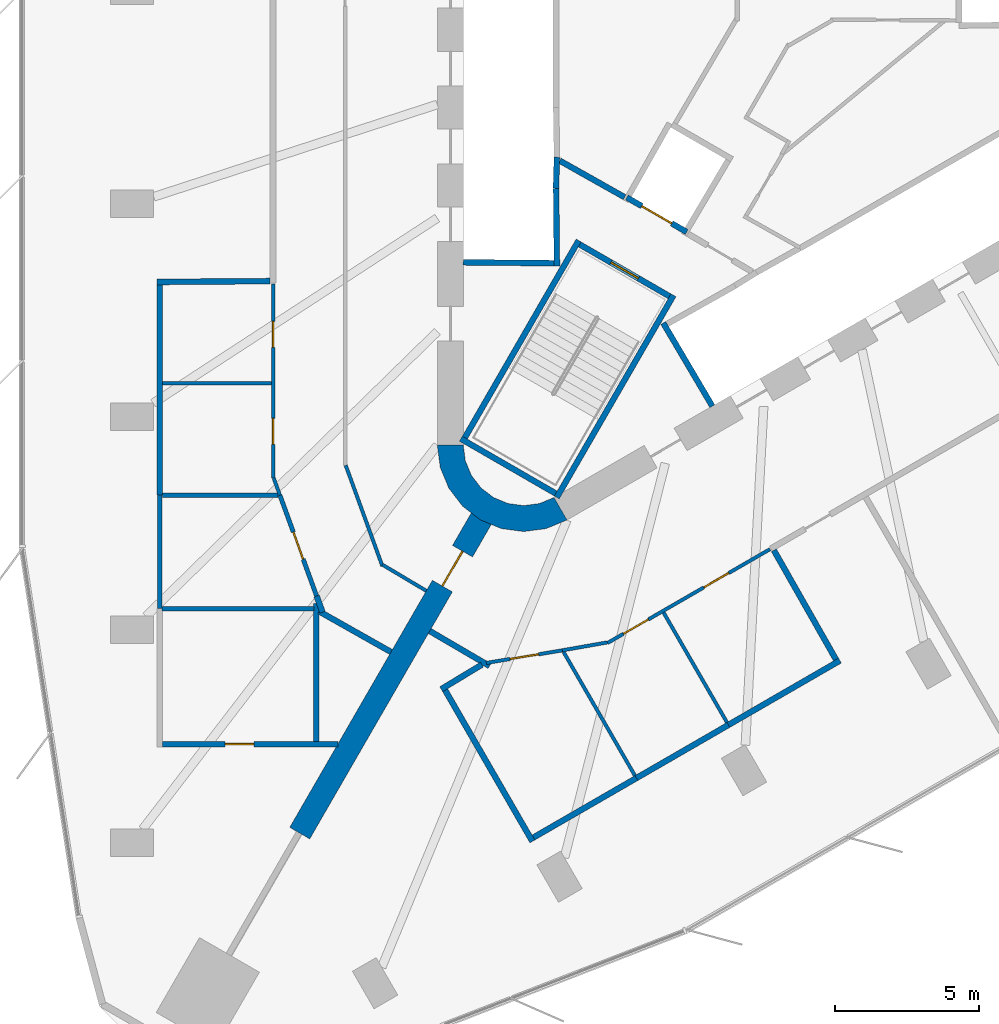
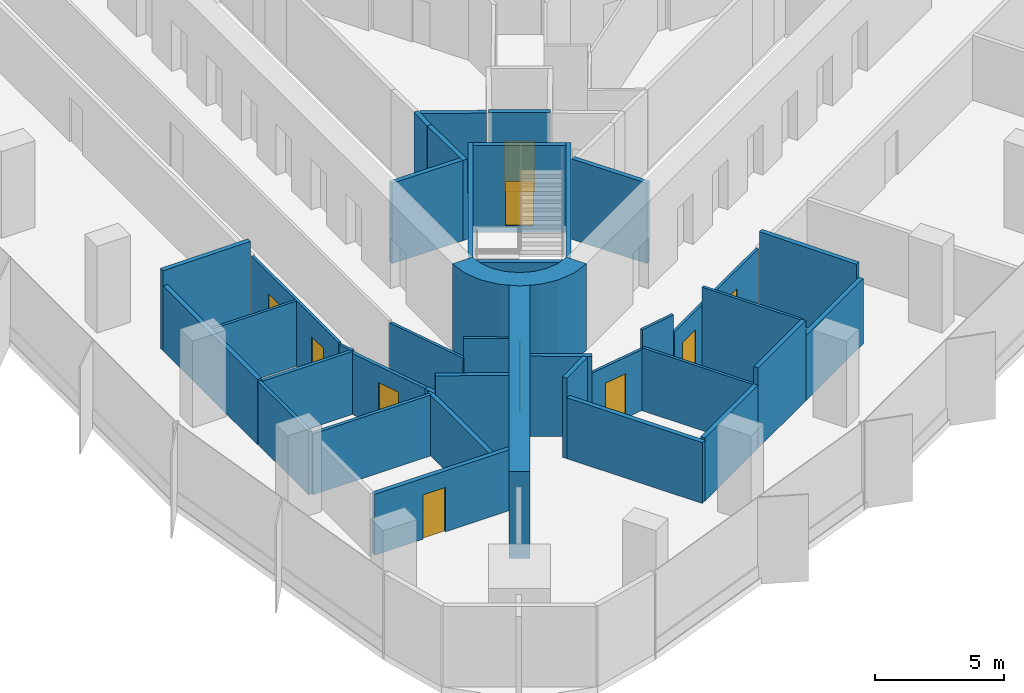
# One storey, part 9 of 15: 39 walls, 10 doors, 10 openings.
"""IFC4 building model written with IfcOpenShell, lengths in metres."""

from ifc_helpers import new_model, si_unit, direction, frame, frame_2d, origin, place, context, subcontext, project, spatial, polyline, rectangle, outline, extrude, material, layer, layer_set, type_object, element, fill, save


model = new_model("IFC4")

# Units and contexts
model_context = context("Model", 3, precision=1e-05, world=origin(), true_north=direction((0.0, 1.0)))
body_context = subcontext(model_context, "Body", "Model", "MODEL_VIEW")
ifc_project = project(units=[si_unit("LENGTHUNIT", "METRE"), si_unit("AREAUNIT", "SQUARE_METRE"), si_unit("VOLUMEUNIT", "CUBIC_METRE"), si_unit("PLANEANGLEUNIT", "RADIAN"), si_unit("MASSUNIT", "GRAM", prefix="KILO")], contexts=[model_context])

# Site, building, storey
site_placement = place(None, origin())
site = spatial("IfcSite", under=ifc_project, at=site_placement, CompositionType="ELEMENT")
building_placement = place(site_placement, origin())
building = spatial("IfcBuilding", under=site, at=building_placement, Name="Tanit Gate Tower", CompositionType="ELEMENT")
storey_placement = place(building_placement, frame((0.0, 0.0, 135.699951171875)))
storey = spatial("IfcBuildingStorey", under=building, at=storey_placement, Name="L29", CompositionType="ELEMENT", Elevation=135.699951171875)

# Wall, opening, door
ifc_material_1 = material(Name="Concrete C60/75", Category="concrete")
ifc_layer_1 = layer(ifc_material_1, 0.800048828125)
ifc_layer_set_1 = layer_set([ifc_layer_1], Name="BUTTRESS FIN 800 C60/75")
wall_type_1 = type_object("IfcWallType", Name="BUTTRESS FIN 800 C60/75", PredefinedType="SHEAR", material=ifc_layer_set_1)
wall_1_placement = place(storey_placement, frame((-10.574951171875, -18.31640625, 0.0), z_axis=(0.0, 0.0, 1.0), x_axis=(-0.500005394759, -0.866022289097, 0.0)))
wall_1 = element("IfcWall", 1, at=wall_1_placement, inside=storey, type_object=wall_type_1, Name="BUTTRESS FIN", PredefinedType="SHEAR", context=body_context, shape_type="SweptSolid", body=[
    extrude(rectangle(XDim=12.597900390625, YDim=0.800048828125, at=frame_2d((6.298828125, 0.0))), origin(), (0.0, 0.0, 1.0), 4.10009765625),
])
opening_1_placement = place(wall_1_placement, frame((1.300048828125, 0.0, 0.0)))
opening_1 = element("IfcOpeningElement", 2, at=opening_1_placement, cuts=wall_1, Name="Opening P14-S07-F-SW-1", PredefinedType="OPENING", context=body_context, shape_type="SweptSolid", body=[
    extrude(rectangle(XDim=1.39990234375, YDim=2.39990234375, at=frame_2d((0.699951171875, 1.199951171875))), frame((0.0, 0.41015625, 0.0), z_axis=(0.0, -1.0, 0.0), x_axis=(1.0, 0.0, 0.0)), (0.0, 0.0, 1.0), 0.820068359375),
])
ifc_material_2 = material(Name="Timber door leaf", Category="wood")
door_type_1 = type_object("IfcDoorType", Name="INT-DOOR-FIN-PAIR-1400", OperationType="NOTDEFINED", PredefinedType="NOTDEFINED", material=ifc_material_2)
door_1_placement = place(opening_1_placement, origin())
door_1 = element("IfcDoor", 3, at=door_1_placement, inside=storey, type_object=door_type_1, Name="Door P14-S07-F-SW-1", OperationType="DOUBLE_DOOR_SINGLE_SWING", OverallHeight=2.39990234375, OverallWidth=1.39990234375, PredefinedType="NOTDEFINED", context=body_context, shape_type="SweptSolid", body=[
    extrude(rectangle(XDim=1.39990234375, YDim=2.39990234375, at=frame_2d((0.699951171875, 1.199951171875))), frame((0.0, 0.02490234375, 0.0), z_axis=(0.0, -1.0, 0.0), x_axis=(1.0, 0.0, 0.0)), (0.0, 0.0, 1.0), 0.050048828125),
])
fill(opening_1, door_1)

# Walls
ifc_material_3 = material(Name="Concrete C60/75", Category="concrete")
ifc_layer_2 = layer(ifc_material_3, 0.89990234375)
ifc_layer_set_2 = layer_set([ifc_layer_2], Name="CORE WALL 900 C60/75")
wall_type_2 = type_object("IfcWallType", Name="CORE WALL 900 C60/75", PredefinedType="SHEAR", material=ifc_layer_set_2)
wall_2_placement = place(storey_placement, origin())
element("IfcWall", 4, at=wall_2_placement, inside=storey, type_object=wall_type_2, Name="CORE WALL CORNER", PredefinedType="SHEAR", context=body_context, shape_type="SweptSolid", body=[
    extrude(outline(polyline([(-12.10009765625, -15.76171875), (-11.997802734375, -16.5380859375), (-11.697998046875, -17.26171875), (-11.22119140625, -17.883056640625), (-10.60009765625, -18.359619140625), (-9.87646484375, -18.659423828125), (-9.10009765625, -18.76171875), (-8.323486328125, -18.659423828125), (-7.60009765625, -18.359619140625), (-8.050048828125, -17.580322265625), (-8.556396484375, -17.7900390625), (-9.10009765625, -17.86181640625), (-9.6435546875, -17.7900390625), (-10.14990234375, -17.580322265625), (-10.5849609375, -17.24658203125), (-10.918701171875, -16.811767578125), (-11.12841796875, -16.30517578125), (-11.199951171875, -15.76171875), (-12.10009765625, -15.76171875)])), origin(), (0.0, 0.0, 1.0), 4.10009765625),
])
ifc_material_4 = material(Name="Fire-rated gypsum board partition")
ifc_layer_3 = layer(ifc_material_4, 0.199951171875)
ifc_layer_set_3 = layer_set([ifc_layer_3], Name="INT-WALL-COMPARTMENT")
wall_type_3 = type_object("IfcWallType", Name="INT-WALL-COMPARTMENT", PredefinedType="PARTITIONING", material=ifc_layer_set_3)
wall_3_placement = place(storey_placement, frame((-7.84912109375, -5.893798828125, 0.0), z_axis=(0.0, 0.0, 1.0), x_axis=(0.871340486379, -0.490678873396, 0.0)))
element("IfcWall", 5, at=wall_3_placement, inside=storey, type_object=wall_type_3, Name="Wall Compartment W063", PredefinedType="PARTITIONING", context=body_context, shape_type="SweptSolid", body=[
    extrude(rectangle(XDim=2.580810546875, YDim=0.199951171875, at=frame_2d((1.29052734375, 0.0))), origin(), (0.0, 0.0, 1.0), 3.800048828125),
])
wall_4_placement = place(storey_placement, frame((-16.199951171875, -21.532470703125, 0.0), z_axis=(0.0, 0.0, 1.0), x_axis=(0.870802525435, -0.491632954241, 0.0)))
element("IfcWall", 6, at=wall_4_placement, inside=storey, type_object=wall_type_3, Name="Wall Compartment W094", PredefinedType="PARTITIONING", context=body_context, shape_type="SweptSolid", body=[
    extrude(rectangle(XDim=2.86328125, YDim=0.199951171875, at=frame_2d((1.431640625, 0.0))), origin(), (0.0, 0.0, 1.0), 3.800048828125),
])
wall_5_placement = place(storey_placement, frame((-16.28759765625, -21.00146484375, 0.0), z_axis=(0.0, 0.0, 1.0), x_axis=(0.342137351889, -0.939649952079, 0.0)))
element("IfcWall", 7, at=wall_5_placement, inside=storey, type_object=wall_type_3, Name="Wall Compartment W095", PredefinedType="PARTITIONING", context=body_context, shape_type="SweptSolid", body=[
    extrude(rectangle(XDim=0.596435546875, YDim=0.199951171875, at=frame_2d((0.29833984375, 0.0))), origin(), (0.0, 0.0, 1.0), 2.880126953125),
])
wall_6_placement = place(storey_placement, frame((-12.36279296875, -22.213134765625, 0.0), z_axis=(0.0, 0.0, 1.0), x_axis=(0.863185097125, -0.504887599472, 0.0)))
element("IfcWall", 8, at=wall_6_placement, inside=storey, type_object=wall_type_3, Name="Wall Compartment W109", PredefinedType="PARTITIONING", context=body_context, shape_type="SweptSolid", body=[
    extrude(rectangle(XDim=2.4033203125, YDim=0.199951171875, at=frame_2d((1.20166015625, 0.0))), origin(), (0.0, 0.0, 1.0), 3.800048828125),
])
wall_7_placement = place(storey_placement, frame((-21.830078125, -10.100830078125, 0.0), z_axis=(0.0, 0.0, 1.0), x_axis=(0.999970811124, 0.007640477685, 0.0)))
element("IfcWall", 9, at=wall_7_placement, inside=storey, type_object=wall_type_3, Name="Wall Compartment W119", PredefinedType="PARTITIONING", context=body_context, shape_type="SweptSolid", body=[
    extrude(rectangle(XDim=3.93017578125, YDim=0.199951171875, at=frame_2d((1.965087890625, 0.0))), origin(), (0.0, 0.0, 1.0), 3.800048828125),
])
wall_8_placement = place(storey_placement, frame((-21.72998046875, -17.491455078125, 0.0), z_axis=(0.0, 0.0, 1.0), x_axis=(0.0, 1.0, 0.0)))
element("IfcWall", 10, at=wall_8_placement, inside=storey, type_object=wall_type_3, Name="Wall Compartment W121", PredefinedType="PARTITIONING", context=body_context, shape_type="SweptSolid", body=[
    extrude(rectangle(XDim=7.29150390625, YDim=0.199951171875, at=frame_2d((3.645751953125, 0.0))), origin(), (0.0, 0.0, 1.0), 3.080078125),
])

# Wall, opening, door
wall_9_placement = place(storey_placement, frame((-21.6298828125, -26.139892578125, 0.0), z_axis=(0.0, 0.0, 1.0), x_axis=(1.0, 0.0, 0.0)))
wall_9 = element("IfcWall", 11, at=wall_9_placement, inside=storey, type_object=wall_type_3, Name="Wall Compartment W125", PredefinedType="PARTITIONING", context=body_context, shape_type="SweptSolid", body=[
    extrude(rectangle(XDim=6.076171875, YDim=0.199951171875, at=frame_2d((3.0380859375, 0.0))), origin(), (0.0, 0.0, 1.0), 2.880126953125),
])
opening_2_placement = place(wall_9_placement, frame((2.1650390625, 0.0, 0.0)))
opening_2 = element("IfcOpeningElement", 12, at=opening_2_placement, cuts=wall_9, Name="Opening F10-S07-19", PredefinedType="OPENING", context=body_context, shape_type="SweptSolid", body=[
    extrude(rectangle(XDim=1.0, YDim=2.10009765625, at=frame_2d((0.5, 1.050048828125))), frame((0.0, 0.10986328125, 0.0), z_axis=(0.0, -1.0, 0.0), x_axis=(1.0, 0.0, 0.0)), (0.0, 0.0, 1.0), 0.219970703125),
])
ifc_material_5 = material(Name="Fire-rated steel door leaf", Category="steel")
door_type_2 = type_object("IfcDoorType", Name="INT-DOOR-FIRE-1000", OperationType="NOTDEFINED", PredefinedType="USERDEFINED", material=ifc_material_5)
door_2_placement = place(opening_2_placement, origin())
door_2 = element("IfcDoor", 13, at=door_2_placement, inside=storey, type_object=door_type_2, Name="Door F10-S07-19", ObjectType="FIRE DOOR", OperationType="SINGLE_SWING_LEFT", OverallHeight=2.10009765625, OverallWidth=1.0, PredefinedType="USERDEFINED", context=body_context, shape_type="SweptSolid", body=[
    extrude(rectangle(XDim=1.0, YDim=2.10009765625, at=frame_2d((0.5, 1.050048828125))), frame((0.0, 0.02490234375, 0.0), z_axis=(0.0, -1.0, 0.0), x_axis=(1.0, 0.0, 0.0)), (0.0, 0.0, 1.0), 0.050048828125),
])
fill(opening_2, door_2)

# Walls
wall_10_placement = place(storey_placement, frame((-16.300048828125, -26.0400390625, 0.0), z_axis=(0.0, 0.0, 1.0), x_axis=(0.0, 1.0, 0.0)))
element("IfcWall", 14, at=wall_10_placement, inside=storey, type_object=wall_type_3, Name="Wall Compartment W126", PredefinedType="PARTITIONING", context=body_context, shape_type="SweptSolid", body=[
    extrude(rectangle(XDim=4.7802734375, YDim=0.199951171875, at=frame_2d((2.39013671875, 0.0))), origin(), (0.0, 0.0, 1.0), 2.880126953125),
])
wall_11_placement = place(storey_placement, frame((1.86962890625, -23.238525390625, 0.0), z_axis=(0.0, 0.0, 1.0), x_axis=(-0.866020802127, -0.50000797022, 0.0)))
element("IfcWall", 15, at=wall_11_placement, inside=storey, type_object=wall_type_3, Name="Wall Compartment W131", PredefinedType="PARTITIONING", context=body_context, shape_type="SweptSolid", body=[
    extrude(rectangle(XDim=4.4658203125, YDim=0.199951171875, at=frame_2d((2.23291015625, 0.0))), origin(), (0.0, 0.0, 1.0), 3.080078125),
])
wall_12_placement = place(storey_placement, frame((-1.997802734375, -25.471435546875, 0.0), z_axis=(0.0, 0.0, 1.0), x_axis=(-0.866019184983, -0.500010771126, 0.0)))
element("IfcWall", 16, at=wall_12_placement, inside=storey, type_object=wall_type_3, Name="Wall Compartment W133", PredefinedType="PARTITIONING", context=body_context, shape_type="SweptSolid", body=[
    extrude(rectangle(XDim=3.689453125, YDim=0.199951171875, at=frame_2d((1.8447265625, 0.0))), origin(), (0.0, 0.0, 1.0), 3.800048828125),
])
wall_13_placement = place(storey_placement, frame((-5.19287109375, -27.316162109375, 0.0), z_axis=(0.0, 0.0, 1.0), x_axis=(-0.866040610509, -0.499973660256, 0.0)))
element("IfcWall", 17, at=wall_13_placement, inside=storey, type_object=wall_type_3, Name="Wall Compartment W136", PredefinedType="PARTITIONING", context=body_context, shape_type="SweptSolid", body=[
    extrude(rectangle(XDim=4.122314453125, YDim=0.199951171875, at=frame_2d((2.06103515625, 0.0))), origin(), (0.0, 0.0, 1.0), 2.97998046875),
])
wall_14_placement = place(storey_placement, frame((1.733642578125, -23.20166015625, 0.0), z_axis=(0.0, 0.0, 1.0), x_axis=(-0.494262399959, 0.869312763041, 0.0)))
element("IfcWall", 18, at=wall_14_placement, inside=storey, type_object=wall_type_3, Name="Wall Compartment W132", PredefinedType="PARTITIONING", context=body_context, shape_type="SweptSolid", body=[
    extrude(rectangle(XDim=4.360107421875, YDim=0.199951171875, at=frame_2d((2.18017578125, 0.0))), origin(), (0.0, 0.0, 1.0), 3.800048828125),
])
wall_15_placement = place(storey_placement, frame((-10.552734375, -23.38037109375, 0.0), z_axis=(0.0, 0.0, 1.0), x_axis=(-0.856707917583, -0.515801845625, 0.0)))
element("IfcWall", 19, at=wall_15_placement, inside=storey, type_object=wall_type_3, Name="Wall Compartment W134", PredefinedType="PARTITIONING", context=body_context, shape_type="SweptSolid", body=[
    extrude(rectangle(XDim=1.648681640625, YDim=0.199951171875, at=frame_2d((0.82421875, 0.0))), origin(), (0.0, 0.0, 1.0), 3.800048828125),
])
wall_16_placement = place(storey_placement, frame((-11.82958984375, -24.265625, 0.0), z_axis=(0.0, 0.0, 1.0), x_axis=(0.499990973765, -0.866030615021, 0.0)))
element("IfcWall", 20, at=wall_16_placement, inside=storey, type_object=wall_type_3, Name="Wall Compartment W135", PredefinedType="PARTITIONING", context=body_context, shape_type="SweptSolid", body=[
    extrude(rectangle(XDim=6.06005859375, YDim=0.199951171875, at=frame_2d((3.030029296875, 0.0))), origin(), (0.0, 0.0, 1.0), 2.880126953125),
])
ifc_material_6 = material(Name="Gypsum board partition")
ifc_layer_4 = layer(ifc_material_6, 0.1201171875)
ifc_layer_set_4 = layer_set([ifc_layer_4], Name="INT-WALL-PARTITION")
wall_type_4 = type_object("IfcWallType", Name="INT-WALL-PARTITION", PredefinedType="PARTITIONING", material=ifc_layer_set_4)
wall_17_placement = place(storey_placement, frame((-15.279541015625, -16.461669921875, 0.0), z_axis=(0.0, 0.0, 1.0), x_axis=(0.34206888523, -0.939674878752, 0.0)))
element("IfcWall", 21, at=wall_17_placement, inside=storey, type_object=wall_type_4, Name="Wall Partition W089", PredefinedType="PARTITIONING", context=body_context, shape_type="SweptSolid", body=[
    extrude(rectangle(XDim=3.72998046875, YDim=0.1201171875, at=frame_2d((1.864990234375, 0.0))), origin(), (0.0, 0.0, 1.0), 2.880126953125),
])
wall_18_placement = place(storey_placement, frame((-14.005126953125, -19.91162109375, 0.0), z_axis=(0.0, 0.0, 1.0), x_axis=(0.859128591272, -0.511759771435, 0.0)))
element("IfcWall", 22, at=wall_18_placement, inside=storey, type_object=wall_type_4, Name="Wall Partition W090", PredefinedType="PARTITIONING", context=body_context, shape_type="SweptSolid", body=[
    extrude(rectangle(XDim=1.773193359375, YDim=0.1201171875, at=frame_2d((0.88671875, 0.0))), origin(), (0.0, 0.0, 1.0), 3.800048828125),
])

# Wall, openings, doors
wall_19_placement = place(storey_placement, frame((-17.800048828125, -10.169921875, 0.0), z_axis=(0.0, 0.0, 1.0), x_axis=(0.0, -1.0, 0.0)))
wall_19 = element("IfcWall", 23, at=wall_19_placement, inside=storey, type_object=wall_type_4, Name="Wall Partition W096", PredefinedType="PARTITIONING", context=body_context, shape_type="SweptSolid", body=[
    extrude(rectangle(XDim=6.736083984375, YDim=0.1201171875, at=frame_2d((3.3681640625, 0.0))), origin(), (0.0, 0.0, 1.0), 3.080078125),
])
opening_3_placement = place(wall_19_placement, frame((1.299560546875, 0.0, 0.0)))
opening_3 = element("IfcOpeningElement", 24, at=opening_3_placement, cuts=wall_19, Name="Opening D09-S07-16", PredefinedType="OPENING", context=body_context, shape_type="SweptSolid", body=[
    extrude(rectangle(XDim=0.89990234375, YDim=2.10009765625, at=frame_2d((0.449951171875, 1.050048828125))), frame((0.0, 0.070068359375, 0.0), z_axis=(0.0, -1.0, 0.0), x_axis=(1.0, 0.0, 0.0)), (0.0, 0.0, 1.0), 0.14013671875),
])
opening_4_placement = place(wall_19_placement, frame((4.66748046875, 0.0, 0.0)))
opening_4 = element("IfcOpeningElement", 25, at=opening_4_placement, cuts=wall_19, Name="Opening D09-S07-17", PredefinedType="OPENING", context=body_context, shape_type="SweptSolid", body=[
    extrude(rectangle(XDim=0.89990234375, YDim=2.10009765625, at=frame_2d((0.449951171875, 1.050048828125))), frame((0.0, 0.070068359375, 0.0), z_axis=(0.0, -1.0, 0.0), x_axis=(1.0, 0.0, 0.0)), (0.0, 0.0, 1.0), 0.14013671875),
])
ifc_material_7 = material(Name="Timber door leaf", Category="wood")
door_type_3 = type_object("IfcDoorType", Name="INT-DOOR-SINGLE-900", OperationType="NOTDEFINED", PredefinedType="NOTDEFINED", material=ifc_material_7)
door_3_placement = place(opening_3_placement, origin())
door_3 = element("IfcDoor", 26, at=door_3_placement, inside=storey, type_object=door_type_3, Name="Door D09-S07-16", OperationType="SINGLE_SWING_LEFT", OverallHeight=2.10009765625, OverallWidth=0.89990234375, PredefinedType="NOTDEFINED", context=body_context, shape_type="SweptSolid", body=[
    extrude(rectangle(XDim=0.89990234375, YDim=2.10009765625, at=frame_2d((0.449951171875, 1.050048828125))), frame((0.0, 0.02490234375, 0.0), z_axis=(0.0, -1.0, 0.0), x_axis=(1.0, 0.0, 0.0)), (0.0, 0.0, 1.0), 0.050048828125),
])
fill(opening_3, door_3)
door_4_placement = place(opening_4_placement, origin())
door_4 = element("IfcDoor", 27, at=door_4_placement, inside=storey, type_object=door_type_3, Name="Door D09-S07-17", OperationType="SINGLE_SWING_LEFT", OverallHeight=2.10009765625, OverallWidth=0.89990234375, PredefinedType="NOTDEFINED", context=body_context, shape_type="SweptSolid", body=[
    extrude(rectangle(XDim=0.89990234375, YDim=2.10009765625, at=frame_2d((0.449951171875, 1.050048828125))), frame((0.0, 0.02490234375, 0.0), z_axis=(0.0, -1.0, 0.0), x_axis=(1.0, 0.0, 0.0)), (0.0, 0.0, 1.0), 0.050048828125),
])
fill(opening_4, door_4)

# Wall
wall_20_placement = place(storey_placement, frame((-17.779541015625, -16.90234375, 0.0), z_axis=(0.0, 0.0, 1.0), x_axis=(0.341988220281, -0.93970423921, 0.0)))
element("IfcWall", 28, at=wall_20_placement, inside=storey, type_object=wall_type_4, Name="Wall Partition W097", PredefinedType="PARTITIONING", context=body_context, shape_type="SweptSolid", body=[
    extrude(rectangle(XDim=0.6396484375, YDim=0.1201171875, at=frame_2d((0.31982421875, 0.0))), origin(), (0.0, 0.0, 1.0), 2.97998046875),
])

# Wall, openings, doors
wall_21_placement = place(storey_placement, frame((-6.192626953125, -22.6279296875, 0.0), z_axis=(0.0, 0.0, 1.0), x_axis=(0.866031884678, 0.499988774596, 0.0)))
wall_21 = element("IfcWall", 29, at=wall_21_placement, inside=storey, type_object=wall_type_4, Name="Wall Partition W112", PredefinedType="PARTITIONING", context=body_context, shape_type="SweptSolid", body=[
    extrude(rectangle(XDim=6.507080078125, YDim=0.1201171875, at=frame_2d((3.25341796875, 0.0))), origin(), (0.0, 0.0, 1.0), 2.97998046875),
])
opening_5_placement = place(wall_21_placement, frame((3.85888671875, 0.0, 0.0)))
opening_5 = element("IfcOpeningElement", 30, at=opening_5_placement, cuts=wall_21, Name="Opening D10-S07-20", PredefinedType="OPENING", context=body_context, shape_type="SweptSolid", body=[
    extrude(rectangle(XDim=1.0, YDim=2.10009765625, at=frame_2d((0.5, 1.050048828125))), frame((0.0, 0.070068359375, 0.0), z_axis=(0.0, -1.0, 0.0), x_axis=(1.0, 0.0, 0.0)), (0.0, 0.0, 1.0), 0.14013671875),
])
opening_6_placement = place(wall_21_placement, frame((0.635498046875, 0.0, 0.0)))
opening_6 = element("IfcOpeningElement", 31, at=opening_6_placement, cuts=wall_21, Name="Opening D10-S07-21", PredefinedType="OPENING", context=body_context, shape_type="SweptSolid", body=[
    extrude(rectangle(XDim=1.0, YDim=2.10009765625, at=frame_2d((0.5, 1.050048828125))), frame((0.0, 0.070068359375, 0.0), z_axis=(0.0, -1.0, 0.0), x_axis=(1.0, 0.0, 0.0)), (0.0, 0.0, 1.0), 0.14013671875),
])
ifc_material_8 = material(Name="Timber door leaf", Category="wood")
door_type_4 = type_object("IfcDoorType", Name="INT-DOOR-SINGLE-1000", OperationType="NOTDEFINED", PredefinedType="NOTDEFINED", material=ifc_material_8)
door_5_placement = place(opening_5_placement, origin())
door_5 = element("IfcDoor", 32, at=door_5_placement, inside=storey, type_object=door_type_4, Name="Door D10-S07-20", OperationType="SINGLE_SWING_LEFT", OverallHeight=2.10009765625, OverallWidth=1.0, PredefinedType="NOTDEFINED", context=body_context, shape_type="SweptSolid", body=[
    extrude(rectangle(XDim=1.0, YDim=2.10009765625, at=frame_2d((0.5, 1.050048828125))), frame((0.0, 0.02490234375, 0.0), z_axis=(0.0, -1.0, 0.0), x_axis=(1.0, 0.0, 0.0)), (0.0, 0.0, 1.0), 0.050048828125),
])
fill(opening_5, door_5)
door_6_placement = place(opening_6_placement, origin())
door_6 = element("IfcDoor", 33, at=door_6_placement, inside=storey, type_object=door_type_4, Name="Door D10-S07-21", OperationType="SINGLE_SWING_LEFT", OverallHeight=2.10009765625, OverallWidth=1.0, PredefinedType="NOTDEFINED", context=body_context, shape_type="SweptSolid", body=[
    extrude(rectangle(XDim=1.0, YDim=2.10009765625, at=frame_2d((0.5, 1.050048828125))), frame((0.0, 0.02490234375, 0.0), z_axis=(0.0, -1.0, 0.0), x_axis=(1.0, 0.0, 0.0)), (0.0, 0.0, 1.0), 0.050048828125),
])
fill(opening_6, door_6)

# Wall
wall_22_placement = place(storey_placement, frame((-7.762939453125, -22.8837890625, 0.0), z_axis=(0.0, 0.0, 1.0), x_axis=(0.984808322643, 0.173644947097, 0.0)))
element("IfcWall", 34, at=wall_22_placement, inside=storey, type_object=wall_type_4, Name="Wall Partition W113", PredefinedType="PARTITIONING", context=body_context, shape_type="SweptSolid", body=[
    extrude(rectangle(XDim=1.58740234375, YDim=0.1201171875, at=frame_2d((0.793701171875, 0.0))), origin(), (0.0, 0.0, 1.0), 3.800048828125),
])

# Wall, opening, door
wall_23_placement = place(storey_placement, frame((-10.3984375, -23.3212890625, 0.0), z_axis=(0.0, 0.0, 1.0), x_axis=(0.986499922069, 0.16376172861, 0.0)))
wall_23 = element("IfcWall", 35, at=wall_23_placement, inside=storey, type_object=wall_type_4, Name="Wall Partition W114", PredefinedType="PARTITIONING", context=body_context, shape_type="SweptSolid", body=[
    extrude(rectangle(XDim=2.671630859375, YDim=0.1201171875, at=frame_2d((1.3359375, 0.0))), origin(), (0.0, 0.0, 1.0), 2.880126953125),
])
opening_7_placement = place(wall_23_placement, frame((0.835693359375, 0.0, 0.0)))
opening_7 = element("IfcOpeningElement", 36, at=opening_7_placement, cuts=wall_23, Name="Opening D10-S07-22", PredefinedType="OPENING", context=body_context, shape_type="SweptSolid", body=[
    extrude(rectangle(XDim=1.0, YDim=2.10009765625, at=frame_2d((0.5, 1.050048828125))), frame((0.0, 0.070068359375, 0.0), z_axis=(0.0, -1.0, 0.0), x_axis=(1.0, 0.0, 0.0)), (0.0, 0.0, 1.0), 0.14013671875),
])
door_7_placement = place(opening_7_placement, origin())
door_7 = element("IfcDoor", 37, at=door_7_placement, inside=storey, type_object=door_type_4, Name="Door D10-S07-22", OperationType="SINGLE_SWING_RIGHT", OverallHeight=2.10009765625, OverallWidth=1.0, PredefinedType="NOTDEFINED", context=body_context, shape_type="SweptSolid", body=[
    extrude(rectangle(XDim=1.0, YDim=2.10009765625, at=frame_2d((0.5, 1.050048828125))), frame((0.0, 0.02490234375, 0.0), z_axis=(0.0, -1.0, 0.0), x_axis=(1.0, 0.0, 0.0)), (0.0, 0.0, 1.0), 0.050048828125),
])
fill(opening_7, door_7)

# Walls
wall_24_placement = place(storey_placement, frame((-17.860107421875, -13.60888671875, 0.0), z_axis=(0.0, 0.0, 1.0), x_axis=(-1.0, 0.0, 0.0)))
element("IfcWall", 38, at=wall_24_placement, inside=storey, type_object=wall_type_4, Name="Wall Partition W137", PredefinedType="PARTITIONING", context=body_context, shape_type="SweptSolid", body=[
    extrude(rectangle(XDim=3.769775390625, YDim=0.1201171875, at=frame_2d((1.884765625, 0.0))), origin(), (0.0, 0.0, 1.0), 3.080078125),
])
wall_25_placement = place(storey_placement, frame((-4.247802734375, -21.57421875, 0.0), z_axis=(0.0, 0.0, 1.0), x_axis=(0.499988222896, -0.866032203192, 0.0)))
element("IfcWall", 39, at=wall_25_placement, inside=storey, type_object=wall_type_4, Name="Wall Partition W140", PredefinedType="PARTITIONING", context=body_context, shape_type="SweptSolid", body=[
    extrude(rectangle(XDim=4.39990234375, YDim=0.1201171875, at=frame_2d((2.199951171875, 0.0))), origin(), (0.0, 0.0, 1.0), 3.800048828125),
])
wall_26_placement = place(storey_placement, frame((-5.242919921875, -27.2294921875, 0.0), z_axis=(0.0, 0.0, 1.0), x_axis=(-0.500006734102, 0.866021515814, 0.0)))
element("IfcWall", 40, at=wall_26_placement, inside=storey, type_object=wall_type_4, Name="Wall Partition W141", PredefinedType="PARTITIONING", context=body_context, shape_type="SweptSolid", body=[
    extrude(rectangle(XDim=4.9560546875, YDim=0.1201171875, at=frame_2d((2.47802734375, 0.0))), origin(), (0.0, 0.0, 1.0), 2.97998046875),
])

# Wall, opening, door
ifc_material_9 = material(Name="Fire-rated gypsum board partition")
ifc_layer_5 = layer(ifc_material_9, 0.14990234375)
ifc_layer_set_5 = layer_set([ifc_layer_5], Name="INT-WALL-RISER")
wall_type_5 = type_object("IfcWallType", Name="INT-WALL-RISER", PredefinedType="PLUMBINGWALL", material=ifc_layer_set_5)
wall_27_placement = place(storey_placement, frame((-17.560791015625, -17.50341796875, 0.0), z_axis=(0.0, 0.0, 1.0), x_axis=(0.342022140343, -0.939691893929, 0.0)))
wall_27 = element("IfcWall", 41, at=wall_27_placement, inside=storey, type_object=wall_type_5, Name="Wall Riser W099", PredefinedType="PLUMBINGWALL", context=body_context, shape_type="SweptSolid", body=[
    extrude(rectangle(XDim=3.72265625, YDim=0.14990234375, at=frame_2d((1.861328125, 0.0))), origin(), (0.0, 0.0, 1.0), 2.880126953125),
])
opening_8_placement = place(wall_27_placement, frame((1.361083984375, 0.0, 0.0)))
opening_8 = element("IfcOpeningElement", 42, at=opening_8_placement, cuts=wall_27, Name="Opening F10-S07-18", PredefinedType="OPENING", context=body_context, shape_type="SweptSolid", body=[
    extrude(rectangle(XDim=1.0, YDim=2.10009765625, at=frame_2d((0.5, 1.050048828125))), frame((0.0, 0.0849609375, 0.0), z_axis=(0.0, -1.0, 0.0), x_axis=(1.0, 0.0, 0.0)), (0.0, 0.0, 1.0), 0.169921875),
])
door_8_placement = place(opening_8_placement, origin())
door_8 = element("IfcDoor", 43, at=door_8_placement, inside=storey, type_object=door_type_2, Name="Door F10-S07-18", ObjectType="FIRE DOOR", OperationType="SINGLE_SWING_RIGHT", OverallHeight=2.10009765625, OverallWidth=1.0, PredefinedType="USERDEFINED", context=body_context, shape_type="SweptSolid", body=[
    extrude(rectangle(XDim=1.0, YDim=2.10009765625, at=frame_2d((0.5, 1.050048828125))), frame((0.0, 0.02490234375, 0.0), z_axis=(0.0, -1.0, 0.0), x_axis=(1.0, 0.0, 0.0)), (0.0, 0.0, 1.0), 0.050048828125),
])
fill(opening_8, door_8)

# Walls
wall_28_placement = place(storey_placement, frame((-21.72998046875, -21.431396484375, 0.0), z_axis=(0.0, 0.0, 1.0), x_axis=(0.0, 1.0, 0.0)))
element("IfcWall", 44, at=wall_28_placement, inside=storey, type_object=wall_type_5, Name="Wall Riser W122", PredefinedType="PLUMBINGWALL", context=body_context, shape_type="SweptSolid", body=[
    extrude(rectangle(XDim=3.93994140625, YDim=0.14990234375, at=frame_2d((1.969970703125, 0.0))), origin(), (0.0, 0.0, 1.0), 2.97998046875),
])
wall_29_placement = place(storey_placement, frame((-17.626220703125, -17.4990234375, 0.0), z_axis=(0.0, 0.0, 1.0), x_axis=(-1.0, 0.0, 0.0)))
element("IfcWall", 45, at=wall_29_placement, inside=storey, type_object=wall_type_5, Name="Wall Riser W138", PredefinedType="PLUMBINGWALL", context=body_context, shape_type="SweptSolid", body=[
    extrude(rectangle(XDim=4.003662109375, YDim=0.14990234375, at=frame_2d((2.001953125, 0.0))), origin(), (0.0, 0.0, 1.0), 2.97998046875),
])
wall_30_placement = place(storey_placement, frame((-16.375, -21.43896484375, 0.0), z_axis=(0.0, 0.0, 1.0), x_axis=(-1.0, 0.0, 0.0)))
element("IfcWall", 46, at=wall_30_placement, inside=storey, type_object=wall_type_5, Name="Wall Riser W139", PredefinedType="PLUMBINGWALL", context=body_context, shape_type="SweptSolid", body=[
    extrude(rectangle(XDim=5.280029296875, YDim=0.14990234375, at=frame_2d((2.64013671875, 0.0))), origin(), (0.0, 0.0, 1.0), 2.880126953125),
])
ifc_material_10 = material(Name="Gypsum shaft wall system")
ifc_layer_6 = layer(ifc_material_10, 0.199951171875)
ifc_layer_set_6 = layer_set([ifc_layer_6], Name="INT-WALL-SHAFT")
wall_type_6 = type_object("IfcWallType", Name="INT-WALL-SHAFT", PredefinedType="PLUMBINGWALL", material=ifc_layer_set_6)
wall_31_placement = place(storey_placement, frame((-7.949951171875, -5.7724609375, 0.0), z_axis=(0.0, 0.0, 1.0), x_axis=(-0.030803413295, -0.999525462272, 0.0)))
element("IfcWall", 47, at=wall_31_placement, inside=storey, type_object=wall_type_6, Name="Wall Shaft W009", PredefinedType="PLUMBINGWALL", context=body_context, shape_type="SweptSolid", body=[
    extrude(rectangle(XDim=1.077880859375, YDim=0.199951171875, at=frame_2d((0.5390625, 0.0))), origin(), (0.0, 0.0, 1.0), 3.800048828125),
])
wall_32_placement = place(storey_placement, frame((-7.97900390625, -6.85009765625, 0.0), z_axis=(0.0, 0.0, 1.0), x_axis=(0.011121475088, -0.999938154483, 0.0)))
element("IfcWall", 48, at=wall_32_placement, inside=storey, type_object=wall_type_6, Name="Wall Shaft W011", PredefinedType="PLUMBINGWALL", context=body_context, shape_type="SweptSolid", body=[
    extrude(rectangle(XDim=2.7001953125, YDim=0.199951171875, at=frame_2d((1.35009765625, 0.0))), origin(), (0.0, 0.0, 1.0), 3.800048828125),
])
wall_33_placement = place(storey_placement, frame((-8.050048828125, -9.448974609375, 0.0), z_axis=(0.0, 0.0, 1.0), x_axis=(-0.999957467379, 0.009222983926, 0.0)))
element("IfcWall", 49, at=wall_33_placement, inside=storey, type_object=wall_type_6, Name="Wall Shaft W012", PredefinedType="PLUMBINGWALL", context=body_context, shape_type="SweptSolid", body=[
    extrude(rectangle(XDim=3.150146484375, YDim=0.199951171875, at=frame_2d((1.5751953125, 0.0))), origin(), (0.0, 0.0, 1.0), 3.800048828125),
])
wall_34_placement = place(storey_placement, frame((-2.557861328125, -14.409423828125, 0.0), z_axis=(0.0, 0.0, 1.0), x_axis=(-0.507997497166, 0.861358544901, 0.0)))
element("IfcWall", 50, at=wall_34_placement, inside=storey, type_object=wall_type_6, Name="Wall Shaft W027", PredefinedType="PLUMBINGWALL", context=body_context, shape_type="SweptSolid", body=[
    extrude(rectangle(XDim=3.350341796875, YDim=0.199951171875, at=frame_2d((1.67529296875, 0.0))), origin(), (0.0, 0.0, 1.0), 3.800048828125),
])

# Wall, opening, door
wall_35_placement = place(storey_placement, frame((-3.44580078125, -8.3681640625, 0.0), z_axis=(0.0, 0.0, 1.0), x_axis=(-0.866024647952, 0.500001309137, 0.0)))
wall_35 = element("IfcWall", 51, at=wall_35_placement, inside=storey, type_object=wall_type_6, Name="Wall Shaft W053", PredefinedType="PLUMBINGWALL", context=body_context, shape_type="SweptSolid", body=[
    extrude(rectangle(XDim=2.39990234375, YDim=0.199951171875, at=frame_2d((1.199951171875, 0.0))), origin(), (0.0, 0.0, 1.0), 3.800048828125),
])
opening_9_placement = place(wall_35_placement, frame((0.60009765625, 0.0, 0.0)))
opening_9 = element("IfcOpeningElement", 52, at=opening_9_placement, cuts=wall_35, Name="Opening LDFL3-L29", PredefinedType="OPENING", context=body_context, shape_type="SweptSolid", body=[
    extrude(rectangle(XDim=1.199951171875, YDim=2.39990234375, at=frame_2d((0.60009765625, 1.199951171875))), frame((0.0, 0.10986328125, 0.0), z_axis=(0.0, -1.0, 0.0), x_axis=(1.0, 0.0, 0.0)), (0.0, 0.0, 1.0), 0.219970703125),
])
ifc_material_11 = material(Name="Stainless steel sliding door leaf", Category="steel")
door_type_5 = type_object("IfcDoorType", Name="INT-DOOR-LANDING-1200", OperationType="NOTDEFINED", PredefinedType="USERDEFINED", material=ifc_material_11)
door_9_placement = place(opening_9_placement, origin())
door_9 = element("IfcDoor", 53, at=door_9_placement, inside=storey, type_object=door_type_5, Name="Door LDFL3-L29", ObjectType="LANDING DOOR", OperationType="SLIDING_TO_LEFT", OverallHeight=2.39990234375, OverallWidth=1.199951171875, PredefinedType="USERDEFINED", context=body_context, shape_type="SweptSolid", body=[
    extrude(rectangle(XDim=1.199951171875, YDim=2.39990234375, at=frame_2d((0.60009765625, 1.199951171875))), frame((0.0, 0.02490234375, 0.0), z_axis=(0.0, -1.0, 0.0), x_axis=(1.0, 0.0, 0.0)), (0.0, 0.0, 1.0), 0.050048828125),
])
fill(opening_9, door_9)

# Walls
ifc_material_12 = material(Name="Concrete C40/50", Category="concrete")
ifc_layer_7 = layer(ifc_material_12, 0.199951171875)
ifc_layer_set_7 = layer_set([ifc_layer_7], Name="INT-WALL-STAIR")
wall_type_7 = type_object("IfcWallType", Name="INT-WALL-STAIR", PredefinedType="SHEAR", material=ifc_layer_set_7)
wall_36_placement = place(storey_placement, frame((-3.904541015625, -10.56298828125, -0.300048828125), z_axis=(0.0, 0.0, 1.0), x_axis=(-0.500012932018, -0.866017937352, 0.0)))
element("IfcWall", 54, at=wall_36_placement, inside=storey, type_object=wall_type_7, Name="Wall Stair W049", PredefinedType="SHEAR", context=body_context, shape_type="SweptSolid", body=[
    extrude(rectangle(XDim=8.099853515625, YDim=0.199951171875, at=frame_2d((4.0498046875, 0.0))), origin(), (0.0, 0.0, 1.0), 4.10009765625),
])
wall_37_placement = place(storey_placement, frame((-11.281982421875, -15.541015625, -0.300048828125), z_axis=(0.0, 0.0, 1.0), x_axis=(0.866000483506, -0.500043160704, 0.0)))
element("IfcWall", 55, at=wall_37_placement, inside=storey, type_object=wall_type_7, Name="Wall Stair W050", PredefinedType="SHEAR", context=body_context, shape_type="SweptSolid", body=[
    extrude(rectangle(XDim=3.800048828125, YDim=0.199951171875, at=frame_2d((1.89990234375, 0.0))), origin(), (0.0, 0.0, 1.0), 4.10009765625),
])
wall_38_placement = place(storey_placement, frame((-7.195556640625, -8.662841796875, -0.300048828125), z_axis=(0.0, 0.0, 1.0), x_axis=(-0.499997992926, -0.866026562566, 0.0)))
element("IfcWall", 56, at=wall_38_placement, inside=storey, type_object=wall_type_7, Name="Wall Stair W051", PredefinedType="SHEAR", context=body_context, shape_type="SweptSolid", body=[
    extrude(rectangle(XDim=7.89990234375, YDim=0.199951171875, at=frame_2d((3.949951171875, 0.0))), origin(), (0.0, 0.0, 1.0), 4.10009765625),
])

# Wall, opening, door
wall_39_placement = place(storey_placement, frame((-4.041259765625, -10.599365234375, -0.300048828125), z_axis=(0.0, 0.0, 1.0), x_axis=(-0.866047807691, 0.499961193289, 0.0)))
wall_39 = element("IfcWall", 57, at=wall_39_placement, inside=storey, type_object=wall_type_7, Name="Wall Stair W052", PredefinedType="SHEAR", context=body_context, shape_type="SweptSolid", body=[
    extrude(rectangle(XDim=3.599853515625, YDim=0.199951171875, at=frame_2d((1.7998046875, 0.0))), origin(), (0.0, 0.0, 1.0), 4.10009765625),
])
opening_10_placement = place(wall_39_placement, frame((1.25, 0.0, 0.300048828125)))
opening_10 = element("IfcOpeningElement", 58, at=opening_10_placement, cuts=wall_39, Name="Opening S11-S07-07", PredefinedType="OPENING", context=body_context, shape_type="SweptSolid", body=[
    extrude(rectangle(XDim=1.10009765625, YDim=2.10009765625, at=frame_2d((0.550048828125, 1.050048828125))), frame((0.0, 0.10986328125, 0.0), z_axis=(0.0, -1.0, 0.0), x_axis=(1.0, 0.0, 0.0)), (0.0, 0.0, 1.0), 0.219970703125),
])
ifc_material_13 = material(Name="Timber door leaf", Category="wood")
door_type_6 = type_object("IfcDoorType", Name="INT-DOOR-STAIR-1100", OperationType="NOTDEFINED", PredefinedType="USERDEFINED", material=ifc_material_13)
door_10_placement = place(opening_10_placement, origin())
door_10 = element("IfcDoor", 59, at=door_10_placement, inside=storey, type_object=door_type_6, Name="Door S11-S07-07", ObjectType="FIRE DOOR", OperationType="SINGLE_SWING_RIGHT", OverallHeight=2.10009765625, OverallWidth=1.10009765625, PredefinedType="USERDEFINED", context=body_context, shape_type="SweptSolid", body=[
    extrude(rectangle(XDim=1.10009765625, YDim=2.10009765625, at=frame_2d((0.550048828125, 1.050048828125))), frame((0.0, 0.02490234375, 0.0), z_axis=(0.0, -1.0, 0.0), x_axis=(1.0, 0.0, 0.0)), (0.0, 0.0, 1.0), 0.050048828125),
])
fill(opening_10, door_10)

save(model, "model.ifc")
